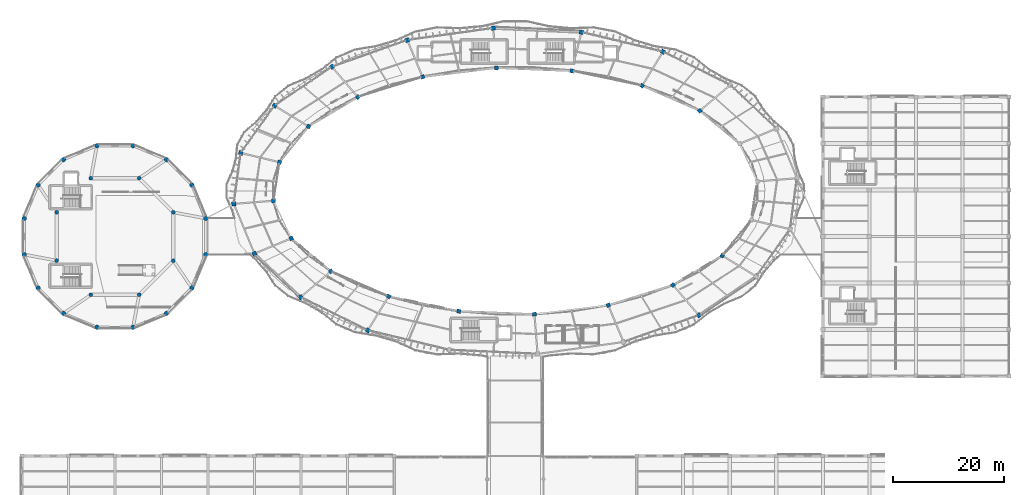
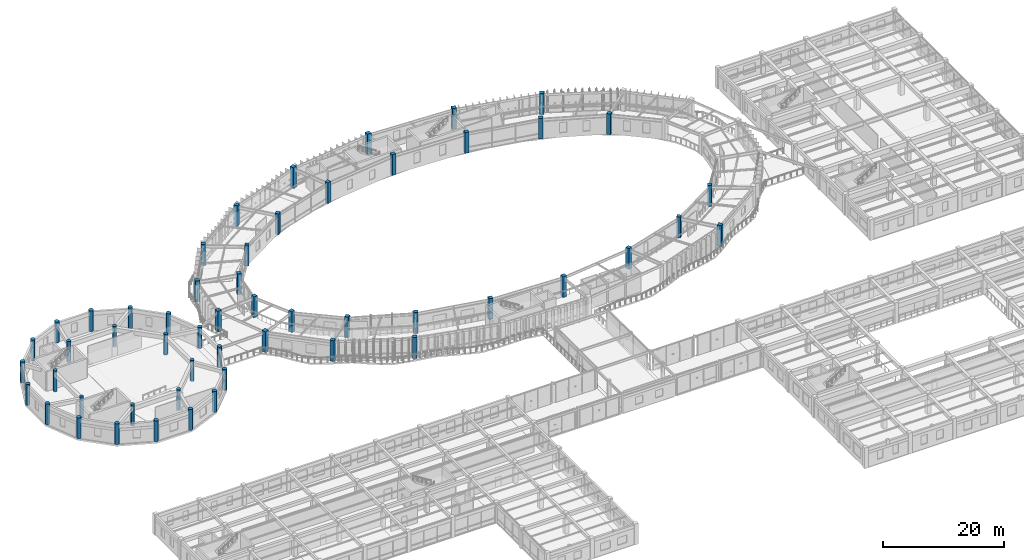
# One storey, part 6 of 152: 53 columns.
"""IFC4 building model written with IfcOpenShell, lengths in metres."""

from ifc_helpers import new_model, si_unit, direction, frame, origin, origin_2d, place, context, subcontext, project, spatial, rectangle, circle, extrude, material, material_profile, profile_set, type_object, element, save


model = new_model("IFC4")

# Units and contexts
model_context = context("Model", 3, precision=1e-05, world=origin(), true_north=direction((0.0, 1.0)))
body_context = subcontext(model_context, "Body", "Model", "MODEL_VIEW")
ifc_project = project(units=[si_unit("LENGTHUNIT", "METRE"), si_unit("AREAUNIT", "SQUARE_METRE"), si_unit("VOLUMEUNIT", "CUBIC_METRE"), si_unit("PLANEANGLEUNIT", "RADIAN"), si_unit("MASSUNIT", "GRAM", prefix="KILO"), si_unit("THERMODYNAMICTEMPERATUREUNIT", "KELVIN"), si_unit("POWERUNIT", "WATT")], contexts=[model_context])

# Site, building, storey
site_placement = place(None, origin())
site = spatial("IfcSite", under=ifc_project, at=site_placement, CompositionType="ELEMENT")
building_placement = place(site_placement, origin())
building = spatial("IfcBuilding", under=site, at=building_placement, Name="Darbajah Civic Hall", CompositionType="ELEMENT")
storey_placement = place(building_placement, frame((0.0, 0.0, 5.39990234375)))
storey = spatial("IfcBuildingStorey", under=building, at=storey_placement, Name="L01", CompositionType="ELEMENT", Elevation=5.39990234375)

# Columns
ifc_material_1 = material(Name="Concrete C45/55", Category="concrete")
ifc_material_profile_1 = material_profile(ifc_material_1, rectangle(XDim=0.699951171875, YDim=0.699951171875, at=origin_2d()), Name="RC COL 700x700")
ifc_profile_set_1 = profile_set([ifc_material_profile_1], Name="Concrete C45/55")
column_type_1 = type_object("IfcColumnType", Name="RC COL 700x700", PredefinedType="COLUMN", material=ifc_profile_set_1)
for number, where, z_axis, x_axis, name in (
    (1, (122.40576171875, 104.28271484375, 0.0), (0.0, 0.0, 1.0), (0.7604059656, 0.64944804833, 0.0), "L01 column C-RC700"),
    (2, (111.9853515625, 108.81396484375, 0.0), (0.0, 0.0, 1.0), (0.522498564716, 0.852640164354, 0.0), "L01 column C-RC700"),
    (3, (99.324951171875, 111.48388671875, 0.0), (0.0, 0.0, 1.0), (0.233445363856, 0.972369920398, 0.0), "L01 column C-RC700"),
    (4, (85.66357421875, 112.03125, 0.0), (0.0, 0.0, 1.0), (-0.078459095728, 0.996917333733, 0.0), "L01 column C-RC700"),
    (5, (72.33837890625, 110.402587890625, 0.0), (0.0, 0.0, 1.0), (-0.382683432365, 0.923879532511, 0.0), "L01 column C-RC700"),
    (6, (60.654296875, 106.757080078125, 0.0), (0.0, 0.0, 1.0), (-0.64944804833, 0.7604059656, 0.0), "L01 column C-RC700"),
    (7, (51.75439453125, 101.45166015625, 0.0), (0.0, 0.0, 1.0), (-0.852640164354, 0.522498564716, 0.0), "L01 column C-RC700"),
    (8, (46.51025390625, 95.005859375, 0.0), (0.0, 0.0, 1.0), (-0.972369920398, 0.233445363856, 0.0), "L01 column C-RC700"),
    (9, (45.43505859375, 88.05029296875, 0.0), (0.0, 0.0, 1.0), (-0.996917333733, -0.078459095728, 0.0), "L01 column C-RC700"),
    (10, (48.634033203125, 81.26611328125, 0.0), (0.0, 0.0, 1.0), (-0.923879532511, -0.382683432365, 0.0), "L01 column C-RC700"),
    (11, (55.794189453125, 75.3173828125, 0.0), (0.0, 0.0, 1.0), (-0.7604059656, -0.64944804833, 0.0), "L01 column C-RC700"),
    (12, (66.214599609375, 70.7861328125, 0.0), (0.0, 0.0, 1.0), (-0.522498564716, -0.852640164354, 0.0), "L01 column C-RC700"),
    (13, (78.875, 68.1162109375, 0.0), (0.0, 0.0, 1.0), (-0.233445363856, -0.972369920398, 0.0), "L01 column C-RC700"),
    (14, (92.53662109375, 67.568603515625, 0.0), (0.0, 0.0, 1.0), (0.078459095728, -0.996917333733, 0.0), "L01 column C-RC700"),
    (15, (105.861572265625, 69.197509765625, 0.0), (0.0, 0.0, 1.0), (0.382683432365, -0.923879532511, 0.0), "L01 column C-RC700"),
    (16, (117.5458984375, 72.843017578125, 0.0), (0.0, 0.0, 1.0), (0.64944804833, -0.7604059656, 0.0), "L01 column C-RC700"),
    (17, (126.445556640625, 78.148193359375, 0.0), (0.0, 0.0, 1.0), (0.852640164354, -0.522498564716, 0.0), "L01 column C-RC700"),
):
    element("IfcColumn", number, at=place(storey_placement, frame(where, z_axis=z_axis, x_axis=x_axis)), inside=storey, type_object=column_type_1, Name=name, PredefinedType="COLUMN", context=body_context, shape_type="SweptSolid", body=[
        extrude(rectangle(XDim=0.699951171875, YDim=0.699951171875, at=origin_2d()), origin(), (0.0, 0.0, 1.0), 4.2001953125),
    ])
ifc_material_2 = material(Name="Concrete C50/60", Category="concrete")
ifc_material_profile_2 = material_profile(ifc_material_2, rectangle(XDim=0.75, YDim=0.75, at=origin_2d()), Name="RC COL 750x750")
ifc_profile_set_2 = profile_set([ifc_material_profile_2], Name="Concrete C50/60")
column_type_2 = type_object("IfcColumnType", Name="RC COL 750x750", PredefinedType="COLUMN", material=ifc_profile_set_2)
for number, where, z_axis, x_axis, name in (
    (18, (115.747314453125, 114.952880859375, 0.0), (0.0, 0.0, 1.0), (0.522498564716, 0.852640164354, 0.0), "L01 column C-RC750"),
    (19, (101.005615234375, 118.48486328125, 0.0), (0.0, 0.0, 1.0), (0.233445363856, 0.972369920398, 0.0), "L01 column C-RC750"),
    (20, (85.0986328125, 119.208984375, 0.0), (0.0, 0.0, 1.0), (-0.078459095728, 0.996917333733, 0.0), "L01 column C-RC750"),
    (21, (69.5830078125, 117.054443359375, 0.0), (0.0, 0.0, 1.0), (-0.382683432365, 0.923879532511, 0.0), "L01 column C-RC750"),
    (22, (55.97802734375, 112.23193359375, 0.0), (0.0, 0.0, 1.0), (-0.64944804833, 0.7604059656, 0.0), "L01 column C-RC750"),
    (23, (45.615478515625, 105.213623046875, 0.0), (0.0, 0.0, 1.0), (-0.852640164354, 0.522498564716, 0.0), "L01 column C-RC750"),
    (24, (39.509033203125, 96.6865234375, 0.0), (0.0, 0.0, 1.0), (-0.972369920398, 0.233445363856, 0.0), "L01 column C-RC750"),
    (25, (38.257080078125, 87.485595703125, 0.0), (0.0, 0.0, 1.0), (-0.996917333733, -0.078459095728, 0.0), "L01 column C-RC750"),
    (26, (41.982177734375, 78.5107421875, 0.0), (0.0, 0.0, 1.0), (-0.923879532511, -0.382683432365, 0.0), "L01 column C-RC750"),
    (27, (50.3193359375, 70.641357421875, 0.0), (0.0, 0.0, 1.0), (-0.7604059656, -0.64944804833, 0.0), "L01 column C-RC750"),
    (28, (62.45263671875, 64.647216796875, 0.0), (0.0, 0.0, 1.0), (-0.522498564716, -0.852640164354, 0.0), "L01 column C-RC750"),
    (29, (122.221923828125, 67.367919921875, 0.0), (0.0, 0.0, 1.0), (0.64944804833, -0.7604059656, 0.0), "L01 column C-RC750"),
):
    element("IfcColumn", number, at=place(storey_placement, frame(where, z_axis=z_axis, x_axis=x_axis)), inside=storey, type_object=column_type_2, Name=name, PredefinedType="COLUMN", context=body_context, shape_type="SweptSolid", body=[
        extrude(rectangle(XDim=0.75, YDim=0.75, at=origin_2d()), origin(), (0.0, 0.0, 1.0), 4.2001953125),
    ])
ifc_material_profile_3 = material_profile(ifc_material_1, circle(Radius=0.35009765625, at=origin_2d()), Name="RC COL D700")
ifc_profile_set_3 = profile_set([ifc_material_profile_3], Name="Concrete C45/55")
column_type_3 = type_object("IfcColumnType", Name="RC COL D700", PredefinedType="COLUMN", material=ifc_profile_set_3)
for number, where, z_axis, x_axis, name in (
    (30, (27.332275390625, 85.962646484375, 0.0), (0.0, 0.0, 1.0), (1.0, 0.0, 0.0), "L01 column C-RCD700"),
    (31, (21.16259765625, 92.132080078125, 0.0), (0.0, 0.0, 1.0), (1.0, 0.0, 0.0), "L01 column C-RCD700"),
    (32, (12.4375, 92.132080078125, 0.0), (0.0, 0.0, 1.0), (1.0, 0.0, 0.0), "L01 column C-RCD700"),
    (33, (6.267822265625, 85.962646484375, 0.0), (0.0, 0.0, 1.0), (1.0, 0.0, 0.0), "L01 column C-RCD700"),
    (34, (6.267822265625, 77.2373046875, 0.0), (0.0, 0.0, 1.0), (1.0, 0.0, 0.0), "L01 column C-RCD700"),
    (35, (12.4375, 71.06787109375, 0.0), (0.0, 0.0, 1.0), (1.0, 0.0, 0.0), "L01 column C-RCD700"),
    (36, (21.16259765625, 71.06787109375, 0.0), (0.0, 0.0, 1.0), (1.0, 0.0, 0.0), "L01 column C-RCD700"),
    (37, (27.332275390625, 77.2373046875, 0.0), (0.0, 0.0, 1.0), (1.0, 0.0, 0.0), "L01 column C-RCD700"),
):
    element("IfcColumn", number, at=place(storey_placement, frame(where, z_axis=z_axis, x_axis=x_axis)), inside=storey, type_object=column_type_3, Name=name, PredefinedType="COLUMN", context=body_context, shape_type="SweptSolid", body=[
        extrude(circle(Radius=0.35009765625, at=origin_2d()), origin(), (0.0, 0.0, 1.0), 4.2001953125),
    ])
ifc_material_profile_4 = material_profile(ifc_material_2, circle(Radius=0.39990234375, at=origin_2d()), Name="RC COL D800")
ifc_profile_set_4 = profile_set([ifc_material_profile_4], Name="Concrete C50/60")
column_type_4 = type_object("IfcColumnType", Name="RC COL D800", PredefinedType="COLUMN", material=ifc_profile_set_4)
for number, where, z_axis, x_axis, name in (
    (38, (33.179931640625, 84.858154296875, 0.0), (0.0, 0.0, 1.0), (1.0, 0.0, 0.0), "L01 column C-RCD800"),
    (39, (30.686279296875, 90.87841796875, 0.0), (0.0, 0.0, 1.0), (1.0, 0.0, 0.0), "L01 column C-RCD800"),
    (40, (26.07861328125, 95.486328125, 0.0), (0.0, 0.0, 1.0), (1.0, 0.0, 0.0), "L01 column C-RCD800"),
    (41, (20.05810546875, 97.97998046875, 0.0), (0.0, 0.0, 1.0), (1.0, 0.0, 0.0), "L01 column C-RCD800"),
    (42, (13.541748046875, 97.97998046875, 0.0), (0.0, 0.0, 1.0), (1.0, 0.0, 0.0), "L01 column C-RCD800"),
    (43, (7.521484375, 95.486328125, 0.0), (0.0, 0.0, 1.0), (1.0, 0.0, 0.0), "L01 column C-RCD800"),
    (44, (2.913818359375, 90.87841796875, 0.0), (0.0, 0.0, 1.0), (1.0, 0.0, 0.0), "L01 column C-RCD800"),
    (45, (0.419921875, 84.858154296875, 0.0), (0.0, 0.0, 1.0), (1.0, 0.0, 0.0), "L01 column C-RCD800"),
    (46, (0.419921875, 78.341796875, 0.0), (0.0, 0.0, 1.0), (1.0, 0.0, 0.0), "L01 column C-RCD800"),
    (47, (2.913818359375, 72.321533203125, 0.0), (0.0, 0.0, 1.0), (1.0, 0.0, 0.0), "L01 column C-RCD800"),
    (48, (7.521484375, 67.713623046875, 0.0), (0.0, 0.0, 1.0), (1.0, 0.0, 0.0), "L01 column C-RCD800"),
    (49, (13.541748046875, 65.219970703125, 0.0), (0.0, 0.0, 1.0), (1.0, 0.0, 0.0), "L01 column C-RCD800"),
    (50, (20.05810546875, 65.219970703125, 0.0), (0.0, 0.0, 1.0), (1.0, 0.0, 0.0), "L01 column C-RCD800"),
    (51, (26.07861328125, 67.713623046875, 0.0), (0.0, 0.0, 1.0), (1.0, 0.0, 0.0), "L01 column C-RCD800"),
    (52, (30.686279296875, 72.321533203125, 0.0), (0.0, 0.0, 1.0), (1.0, 0.0, 0.0), "L01 column C-RCD800"),
    (53, (33.179931640625, 78.341796875, 0.0), (0.0, 0.0, 1.0), (1.0, 0.0, 0.0), "L01 column C-RCD800"),
):
    element("IfcColumn", number, at=place(storey_placement, frame(where, z_axis=z_axis, x_axis=x_axis)), inside=storey, type_object=column_type_4, Name=name, PredefinedType="COLUMN", context=body_context, shape_type="SweptSolid", body=[
        extrude(circle(Radius=0.39990234375, at=origin_2d()), origin(), (0.0, 0.0, 1.0), 4.2001953125),
    ])

save(model, "model.ifc")
